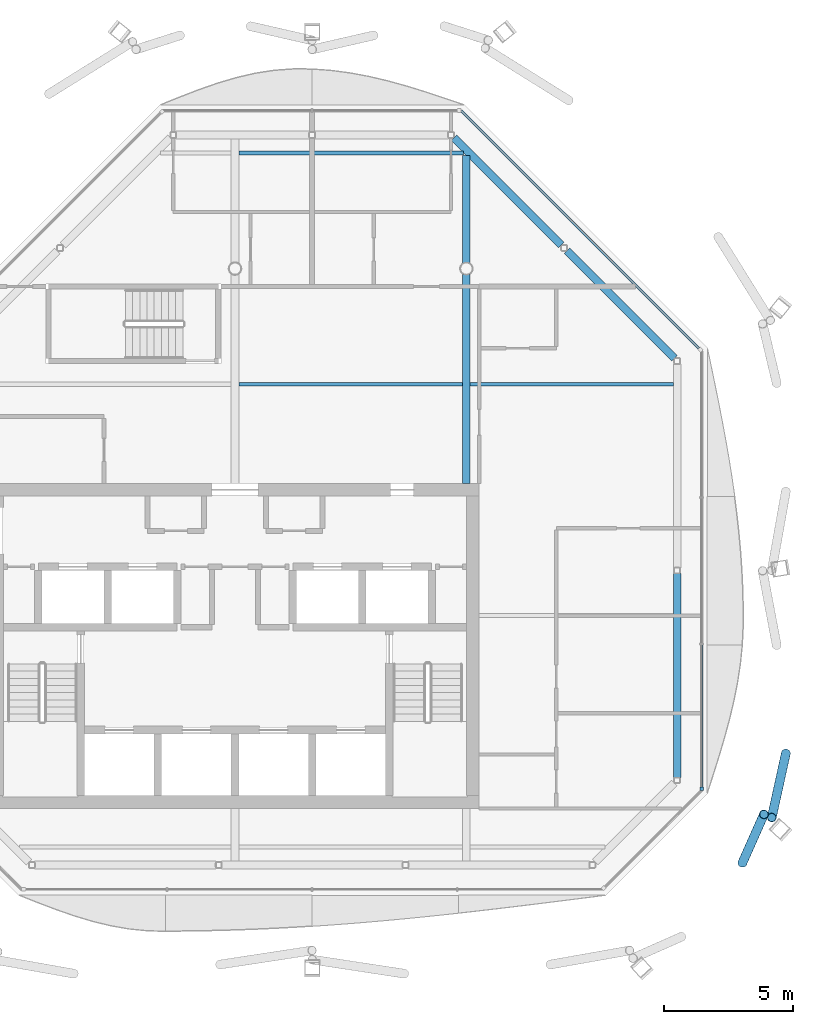
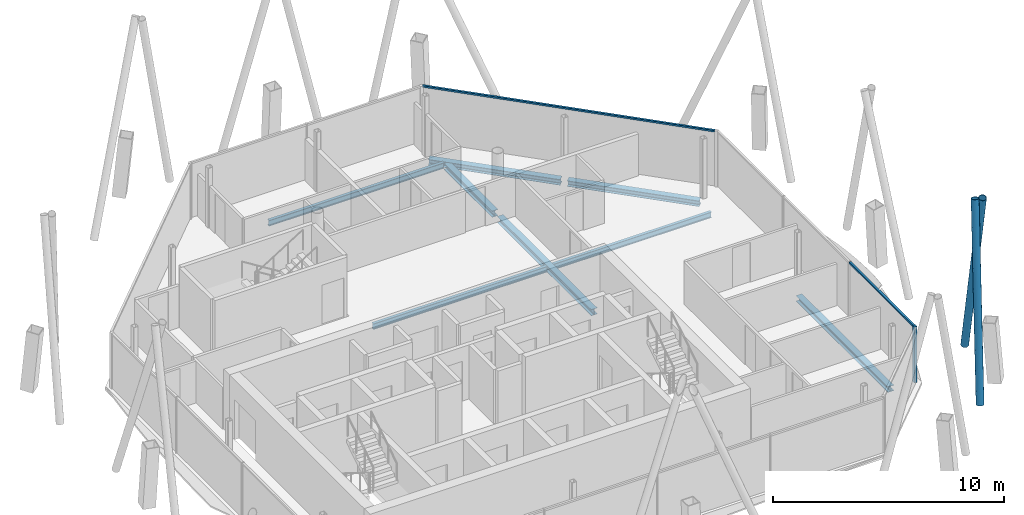
# One storey, part 6 of 14: 8 beams, 5 members, 2 elements without a shape of their own.
"""IFC4 building model written with IfcOpenShell, lengths in metres."""

from ifc_helpers import new_model, si_unit, direction, frame, origin, origin_2d, place, context, subcontext, project, spatial, rectangle, hollow_circle, i_section, extrude, material, material_profile, profile_set, type_object, element, aggregate, save


model = new_model("IFC4")

# Units and contexts
model_context = context("Model", 3, precision=1e-05, world=origin(), true_north=direction((0.0, 1.0)))
body_context = subcontext(model_context, "Body", "Model", "MODEL_VIEW")
ifc_project = project(units=[si_unit("LENGTHUNIT", "METRE"), si_unit("AREAUNIT", "SQUARE_METRE"), si_unit("VOLUMEUNIT", "CUBIC_METRE"), si_unit("PLANEANGLEUNIT", "RADIAN"), si_unit("MASSUNIT", "GRAM", prefix="KILO")], contexts=[model_context])

# Site, building, storey
site_placement = place(None, origin())
site = spatial("IfcSite", under=ifc_project, at=site_placement, CompositionType="ELEMENT")
building_placement = place(site_placement, origin())
building = spatial("IfcBuilding", under=site, at=building_placement, Name="Tskaro Facet Tower", CompositionType="ELEMENT")
storey_placement = place(building_placement, frame((0.0, 0.0, 287.85009765625)))
storey = spatial("IfcBuildingStorey", under=building, at=storey_placement, Name="L77", CompositionType="ELEMENT", Elevation=287.85009765625)

# Members
ifc_material_1 = material(Name="Steel S355J2H", Category="steel")
ifc_material_profile_1 = material_profile(ifc_material_1, hollow_circle(Radius=0.177734375, WallThickness=0.01611328125, at=origin_2d()), Name="CHS 355.6x16")
ifc_profile_set_1 = profile_set([ifc_material_profile_1], Name="Steel S355J2H")
member_type_1 = type_object("IfcMemberType", Name="CHS 355.6x16 brace", PredefinedType="BRACE", material=ifc_profile_set_1)
member_1_placement = place(storey_placement, frame((19.739501953125, -14.113037109375, 0.0), z_axis=(0.08650139801, 0.194861626099, 0.977008932823), x_axis=(-0.913992098731, 0.40573198476, 0.0)))
element("IfcMember", 1, at=member_1_placement, inside=storey, type_object=member_type_1, Name="CHS 355.6x16 XB03A/6", PredefinedType="BRACE", context=body_context, shape_type="SweptSolid", body=[
    extrude(hollow_circle(Radius=0.177734375, WallThickness=0.01611328125, at=origin_2d()), origin(), (0.0, 0.0, 1.0), 9.67236328125),
])
member_2_placement = place(storey_placement, frame((21.427490234375, -9.863525390625, 0.0), z_axis=(-0.055947109483, -0.254443363278, 0.965468019058), x_axis=(0.9766689713, -0.214750367868, 0.0)))
element("IfcMember", 2, at=member_2_placement, inside=storey, type_object=member_type_1, Name="CHS 355.6x16 XB04B/6", PredefinedType="BRACE", context=body_context, shape_type="SweptSolid", body=[
    extrude(hollow_circle(Radius=0.177734375, WallThickness=0.01611328125, at=origin_2d()), origin(), (0.0, 0.0, 1.0), 9.787841796875),
])

# Curtain wall, members
ifc_material_2 = material(Name="Bronze anodised aluminium 6063-T6", Category="aluminium")
curtain_wall_type = type_object("IfcCurtainWallType", Name="Bronze residence curtain wall (FW3)", PredefinedType="NOTDEFINED", material=ifc_material_2)
curtain_wall_1_placement = place(storey_placement, origin())
curtain_wall_1 = element("IfcCurtainWall", 3, at=curtain_wall_1_placement, inside=storey, type_object=curtain_wall_type, Name="FW3 east facet L77", PredefinedType="NOTDEFINED")
ifc_material_profile_2 = material_profile(ifc_material_2, rectangle(XDim=0.139892578125, YDim=0.139892578125, at=origin_2d()), Name="Corner post 140x140")
ifc_profile_set_2 = profile_set([ifc_material_profile_2], Name="Bronze anodised aluminium 6063-T6")
member_type_2 = type_object("IfcMemberType", Name="FW3 bronze corner post 140x140", PredefinedType="MULLION", material=ifc_profile_set_2)
member_3_placement = place(storey_placement, frame((18.14990234375, -11.22607421875, 0.0), z_axis=(0.0, 0.0, 1.0), x_axis=(0.0, 1.0, 0.0)))
member_3 = element("IfcMember", 4, at=member_3_placement, type_object=member_type_2, Name="FW3 east corner post", PredefinedType="MULLION", context=body_context, shape_type="SweptSolid", body=[
    extrude(rectangle(XDim=0.139892578125, YDim=0.139892578125, at=origin_2d()), origin(), (0.0, 0.0, 1.0), 2.949951171875),
])
ifc_material_profile_3 = material_profile(ifc_material_2, rectangle(XDim=0.10009765625, YDim=0.090087890625, at=origin_2d()), Name="Transom 100x90")
ifc_profile_set_3 = profile_set([ifc_material_profile_3], Name="Bronze anodised aluminium 6063-T6")
member_type_3 = type_object("IfcMemberType", Name="FW3 bronze transom 100x90", PredefinedType="USERDEFINED", material=ifc_profile_set_3)
member_4_placement = place(storey_placement, frame((18.14990234375, -11.156005859375, 2.90478515625), z_axis=(0.0, 1.0, 0.0), x_axis=(-1.0, 0.0, 0.0)))
member_4 = element("IfcMember", 5, at=member_4_placement, type_object=member_type_3, Name="FW3 east transom 1.1", ObjectType="TRANSOM", PredefinedType="USERDEFINED", context=body_context, shape_type="SweptSolid", body=[
    extrude(rectangle(XDim=0.10009765625, YDim=0.090087890625, at=origin_2d()), origin(), (0.0, 0.0, 1.0), 5.5322265625),
])
aggregate(curtain_wall_1, [member_3, member_4])

# Curtain wall, member
curtain_wall_2_placement = place(storey_placement, origin())
curtain_wall_2 = element("IfcCurtainWall", 6, at=curtain_wall_2_placement, inside=storey, type_object=curtain_wall_type, Name="FW3 north-east facet L77", PredefinedType="NOTDEFINED")
member_5_placement = place(storey_placement, frame((18.051025390625, 5.89501953125, 2.90478515625), z_axis=(-0.707116107619, 0.707097454631, 0.0), x_axis=(-0.707097454631, -0.707116107619, 0.0)))
member_5 = element("IfcMember", 7, at=member_5_placement, type_object=member_type_3, Name="FW3 north-east transom 1.1", ObjectType="TRANSOM", PredefinedType="USERDEFINED", context=body_context, shape_type="SweptSolid", body=[
    extrude(rectangle(XDim=0.10009765625, YDim=0.090087890625, at=origin_2d()), origin(), (0.0, 0.0, 1.0), 13.088623046875),
])
aggregate(curtain_wall_2, [member_5])

# Beams
ifc_material_3 = material(Name="Steel S355J2", Category="steel")
ifc_material_profile_4 = material_profile(ifc_material_3, i_section(OverallWidth=0.300048828125, OverallDepth=0.300048828125, WebThickness=0.010986328125, FlangeThickness=0.01904296875, FilletRadius=0.027099609375, at=origin_2d()), Name="HE 300 B")
ifc_profile_set_4 = profile_set([ifc_material_profile_4], Name="Steel S355J2")
beam_type_1 = type_object("IfcBeamType", Name="HE 300 B ring beam", PredefinedType="BEAM", material=ifc_profile_set_4)
beam_1_placement = place(storey_placement, frame((17.199951171875, -10.798095703125, -0.2900390625), z_axis=(0.0, 1.0, 0.0), x_axis=(-1.0, 0.0, 0.0)))
element("IfcBeam", 8, at=beam_1_placement, inside=storey, type_object=beam_type_1, Name="HE 300 B EB5-6", PredefinedType="BEAM", context=body_context, shape_type="SweptSolid", body=[
    extrude(i_section(OverallWidth=0.300048828125, OverallDepth=0.300048828125, WebThickness=0.010986328125, FlangeThickness=0.01904296875, FilletRadius=0.027099609375, at=origin_2d()), origin(), (0.0, 0.0, 1.0), 7.943115234375),
])
for number, where, z_axis, x_axis, name in (
    (9, (17.089111328125, 5.513916015625, -0.2900390625), (-0.707024112481, 0.707189440228, 0.0), (-0.707189440228, -0.707024112481, 0.0), "HE 300 B EB7-6"),
    (10, (12.691162109375, 9.912841796875, -0.2900390625), (-0.707189440228, 0.707024112481, 0.0), (-0.707024112481, -0.707189440228, 0.0), "HE 300 B EB8-6"),
):
    element("IfcBeam", number, at=place(storey_placement, frame(where, z_axis=z_axis, x_axis=x_axis)), inside=storey, type_object=beam_type_1, Name=name, PredefinedType="BEAM", context=body_context, shape_type="SweptSolid", body=[
        extrude(i_section(OverallWidth=0.300048828125, OverallDepth=0.300048828125, WebThickness=0.010986328125, FlangeThickness=0.01904296875, FilletRadius=0.027099609375, at=origin_2d()), origin(), (0.0, 0.0, 1.0), 5.90673828125),
    ])
ifc_material_profile_5 = material_profile(ifc_material_3, i_section(OverallWidth=0.300048828125, OverallDepth=0.330078125, WebThickness=0.009521484375, FlangeThickness=0.0166015625, FilletRadius=0.027099609375, at=origin_2d()), Name="HE 340 A")
ifc_profile_set_5 = profile_set([ifc_material_profile_5], Name="Steel S355J2")
beam_type_2 = type_object("IfcBeamType", Name="HE 340 A girder", PredefinedType="BEAM", material=ifc_profile_set_5)
beam_2_placement = place(storey_placement, frame((9.0, 0.64990234375, -0.30517578125), z_axis=(0.0, 1.0, 0.0), x_axis=(-1.0, 0.0, 0.0)))
element("IfcBeam", 11, at=beam_2_placement, inside=storey, type_object=beam_type_2, Name="HE 340 A GB5-2-6", PredefinedType="BEAM", context=body_context, shape_type="SweptSolid", body=[
    extrude(i_section(OverallWidth=0.300048828125, OverallDepth=0.330078125, WebThickness=0.009521484375, FlangeThickness=0.0166015625, FilletRadius=0.027099609375, at=origin_2d()), origin(), (0.0, 0.0, 1.0), 8.1259765625),
])
beam_3_placement = place(storey_placement, frame((9.0, 9.22412109375, -0.30517578125), z_axis=(0.0, 1.0, 0.0), x_axis=(-1.0, 0.0, 0.0)))
element("IfcBeam", 12, at=beam_3_placement, inside=storey, type_object=beam_type_2, Name="HE 340 A GB5-3-6", PredefinedType="BEAM", context=body_context, shape_type="SweptSolid", body=[
    extrude(i_section(OverallWidth=0.300048828125, OverallDepth=0.330078125, WebThickness=0.009521484375, FlangeThickness=0.0166015625, FilletRadius=0.027099609375, at=origin_2d()), origin(), (0.0, 0.0, 1.0), 4.1669921875),
])
ifc_material_profile_6 = material_profile(ifc_material_3, i_section(OverallWidth=0.14990234375, OverallDepth=0.300048828125, WebThickness=0.007080078125, FlangeThickness=0.0107421875, FilletRadius=0.014892578125, at=origin_2d()), Name="IPE 300")
ifc_profile_set_6 = profile_set([ifc_material_profile_6], Name="Steel S355J2")
beam_type_3 = type_object("IfcBeamType", Name="IPE 300 secondary beam", PredefinedType="BEAM", material=ifc_profile_set_6)
beam_4_placement = place(storey_placement, frame((0.14990234375, 4.5, -0.2900390625), z_axis=(1.0, 0.0, 0.0), x_axis=(0.0, 1.0, 0.0)))
element("IfcBeam", 13, at=beam_4_placement, inside=storey, type_object=beam_type_3, Name="IPE 300 SB4a-2-6", PredefinedType="BEAM", context=body_context, shape_type="SweptSolid", body=[
    extrude(i_section(OverallWidth=0.14990234375, OverallDepth=0.300048828125, WebThickness=0.007080078125, FlangeThickness=0.0107421875, FilletRadius=0.014892578125, at=origin_2d()), origin(), (0.0, 0.0, 1.0), 8.7001953125),
])
beam_5_placement = place(storey_placement, frame((9.14990234375, 4.5, -0.2900390625), z_axis=(1.0, 0.0, 0.0), x_axis=(0.0, 1.0, 0.0)))
element("IfcBeam", 14, at=beam_5_placement, inside=storey, type_object=beam_type_3, Name="IPE 300 SB4a-3-6", PredefinedType="BEAM", context=body_context, shape_type="SweptSolid", body=[
    extrude(i_section(OverallWidth=0.14990234375, OverallDepth=0.300048828125, WebThickness=0.007080078125, FlangeThickness=0.0107421875, FilletRadius=0.014892578125, at=origin_2d()), origin(), (0.0, 0.0, 1.0), 7.900146484375),
])
beam_6_placement = place(storey_placement, frame((0.14990234375, 13.5, -0.2900390625), z_axis=(1.0, 0.0, 0.0), x_axis=(0.0, 1.0, 0.0)))
element("IfcBeam", 15, at=beam_6_placement, inside=storey, type_object=beam_type_3, Name="IPE 300 SB5a-2-6", PredefinedType="BEAM", context=body_context, shape_type="SweptSolid", body=[
    extrude(i_section(OverallWidth=0.14990234375, OverallDepth=0.300048828125, WebThickness=0.007080078125, FlangeThickness=0.0107421875, FilletRadius=0.014892578125, at=origin_2d()), origin(), (0.0, 0.0, 1.0), 8.7412109375),
])

save(model, "model.ifc")
